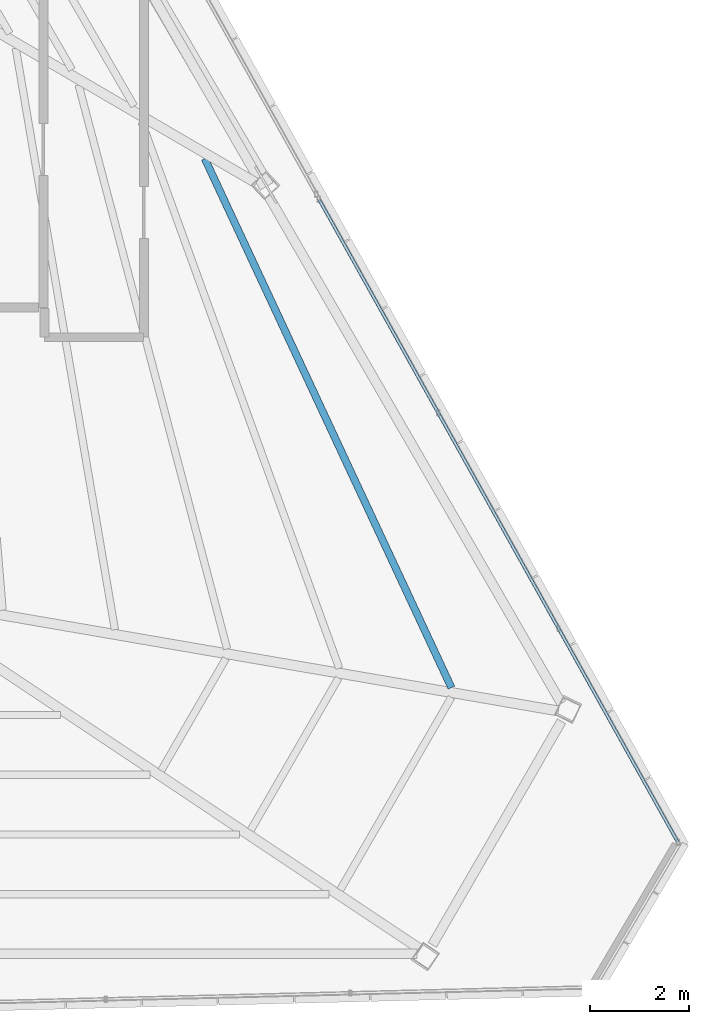
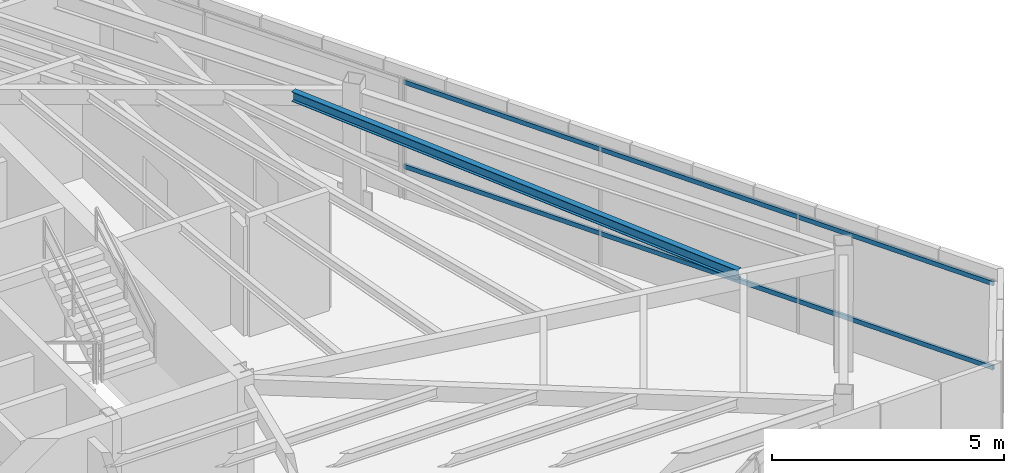
# One storey, part 26 of 44: 2 members, 1 beam, 1 element without a shape of its own.
"""IFC4 building model written with IfcOpenShell, lengths in metres."""

from ifc_helpers import new_model, si_unit, direction, frame, origin, origin_2d, place, context, subcontext, project, spatial, hollow_rectangle, i_section, extrude, source, transform, mapped, material, material_profile, profile_set, type_object, type_shapes, element, aggregate, save


model = new_model("IFC4")

# Units and contexts
model_context = context("Model", 3, precision=1e-05, world=origin(), true_north=direction((0.0, 1.0)))
body_context = subcontext(model_context, "Body", "Model", "MODEL_VIEW")
ifc_project = project(units=[si_unit("LENGTHUNIT", "METRE"), si_unit("AREAUNIT", "SQUARE_METRE"), si_unit("VOLUMEUNIT", "CUBIC_METRE"), si_unit("PLANEANGLEUNIT", "RADIAN"), si_unit("MASSUNIT", "GRAM", prefix="KILO")], contexts=[model_context])

# Site, building, storey
site_placement = place(None, origin())
site = spatial("IfcSite", under=ifc_project, at=site_placement, CompositionType="ELEMENT")
building_placement = place(site_placement, origin())
building = spatial("IfcBuilding", under=site, at=building_placement, Name="Caelisora Broadcast Tower", CompositionType="ELEMENT")
storey_placement = place(building_placement, frame((0.0, 0.0, 296.60009765625)))
storey = spatial("IfcBuildingStorey", under=building, at=storey_placement, Name="L78", CompositionType="ELEMENT", Elevation=296.60009765625)

# Beam
ifc_material_1 = material(Name="Steel Grade 350 (AS/NZS 3679.1)", Category="steel")
ifc_material_profile_1 = material_profile(ifc_material_1, i_section(OverallWidth=0.14599609375, OverallDepth=0.256103515625, WebThickness=0.00634765625, FlangeThickness=0.010986328125, at=origin_2d()), Name="Steel Grade 350 (AS/NZS 3679.1)")
ifc_profile_set_1 = profile_set([ifc_material_profile_1], Name="Steel Grade 350 (AS/NZS 3679.1)")
beam_type = type_object("IfcBeamType", Name="SB04", PredefinedType="JOIST", material=ifc_profile_set_1)
shared_shape_1 = source(origin(), body_context, "Body", "SweptSolid", [
    extrude(i_section(OverallWidth=0.14599609375, OverallDepth=0.256103515625, WebThickness=0.00634765625, FlangeThickness=0.010986328125, at=origin_2d()), origin(), (0.0, 0.0, 1.0), 11.740478515625),
])
type_shapes(beam_type, [shared_shape_1])
beam_placement = place(storey_placement, frame((56.78759765625, 15.552001953125, 3.021728515625), z_axis=(-0.422507480398, 0.906359436983, 0.0), x_axis=(-0.906359436983, -0.422507480398, 0.0)))
element("IfcBeam", 1, at=beam_placement, inside=storey, type_object=beam_type, Name="L78 beam SB04", PredefinedType="JOIST", context=body_context, shape_type="MappedRepresentation", body=[
    mapped(shared_shape_1, transform((0.0, 0.0, 0.0), scale=1.0)),
])

# Curtain wall, members
ifc_material_2 = material(Name="Unitised Aluminium Insulated Shadow-Box Spandrel Curtain Wall", Category="aluminium")
curtain_wall_type = type_object("IfcCurtainWallType", Name="CW-SP3", PredefinedType="NOTDEFINED", material=ifc_material_2)
curtain_wall_placement = place(storey_placement, origin())
curtain_wall = element("IfcCurtainWall", 2, at=curtain_wall_placement, inside=storey, type_object=curtain_wall_type, Name="L78 curtain wall CW-SP3", PredefinedType="NOTDEFINED")
ifc_material_3 = material(Name="Aluminium 6063-T6 Anodised Terracotta Bronze", Category="aluminium")
ifc_material_profile_2 = material_profile(ifc_material_3, hollow_rectangle(XDim=0.06005859375, YDim=0.1201171875, WallThickness=0.0029296875, at=origin_2d()), Name="Aluminium 6063-T6 Anodised Terracotta Bronze")
ifc_profile_set_2 = profile_set([ifc_material_profile_2], Name="Aluminium 6063-T6 Anodised Terracotta Bronze")
member_type = type_object("IfcMemberType", Name="CWT-03", PredefinedType="USERDEFINED", material=ifc_profile_set_2)
shared_shape_2 = source(origin(), body_context, "Body", "SweptSolid", [
    extrude(hollow_rectangle(XDim=0.06005859375, YDim=0.1201171875, WallThickness=0.0029296875, at=origin_2d()), origin(), (0.0, 0.0, 1.0), 14.81591796875),
])
type_shapes(member_type, [shared_shape_2])
member_1_placement = place(storey_placement, frame((54.12060546875, 25.3798828125, 0.849853515625), z_axis=(0.487374048368, -0.873193298748, 0.0), x_axis=(0.873193298748, 0.487374048368, 0.0)))
member_1 = element("IfcMember", 3, at=member_1_placement, type_object=member_type, Name="L78-CW-B03 transom #1", ObjectType="TRANSOM", PredefinedType="USERDEFINED", context=body_context, shape_type="MappedRepresentation", body=[
    mapped(shared_shape_2, transform((0.0, 0.0, 0.0), scale=1.0)),
])
member_2_placement = place(storey_placement, frame((54.12060546875, 25.3798828125, 3.06982421875), z_axis=(0.487374048368, -0.873193298748, 0.0), x_axis=(0.873193298748, 0.487374048368, 0.0)))
member_2 = element("IfcMember", 4, at=member_2_placement, type_object=member_type, Name="L78-CW-B03 transom #2", ObjectType="TRANSOM", PredefinedType="USERDEFINED", context=body_context, shape_type="MappedRepresentation", body=[
    mapped(shared_shape_2, transform((0.0, 0.0, 0.0), scale=1.0)),
])
aggregate(curtain_wall, [member_1, member_2])

save(model, "model.ifc")
